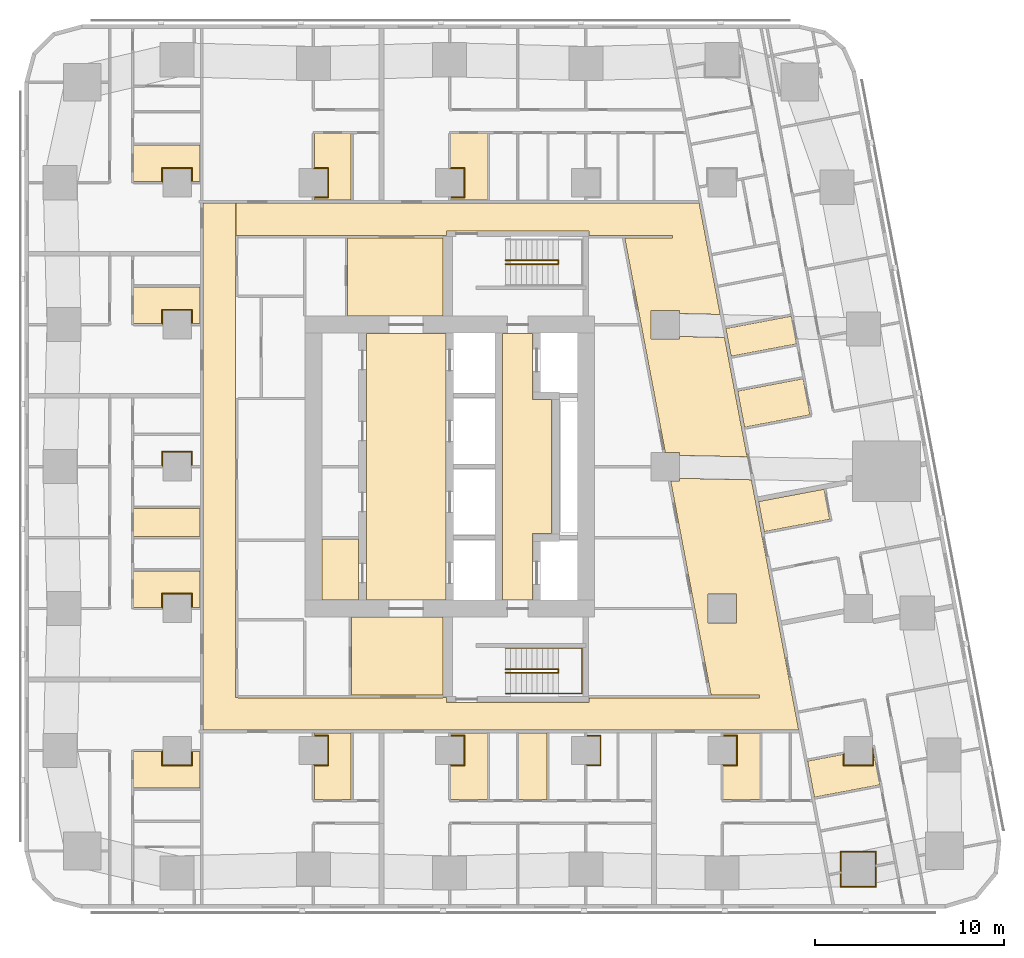
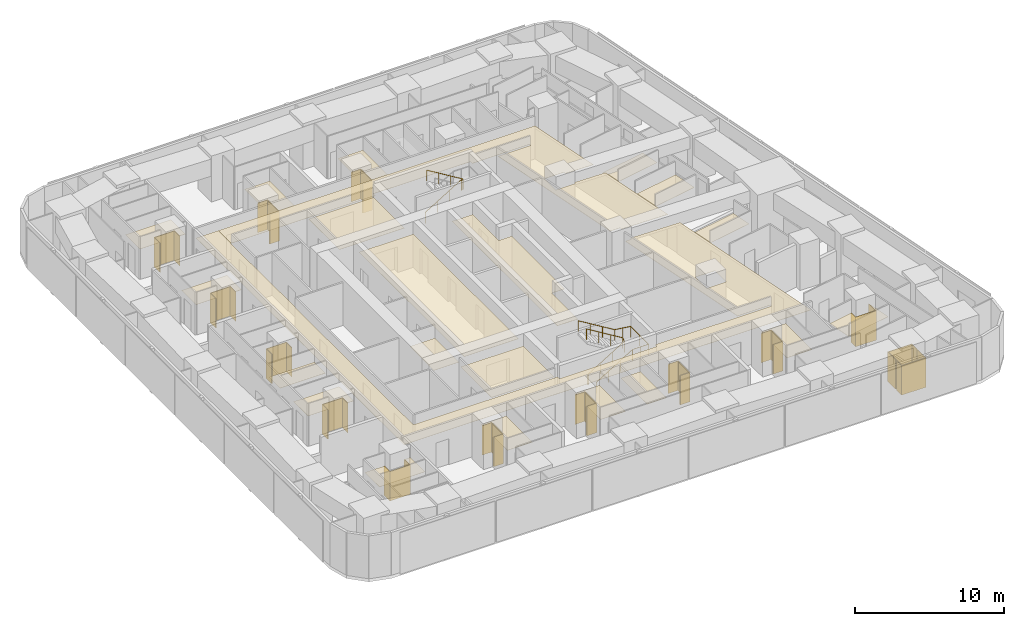
# One storey, part 14 of 15: 36 coverings, 3 railings.
"""IFC4 building model written with IfcOpenShell, lengths in metres."""

from ifc_helpers import new_model, si_unit, direction, frame, origin, origin_2d, place, context, subcontext, project, spatial, polyline, circle, outline, extrude, material, layer, layer_set, type_object, element, save


model = new_model("IFC4")

# Units and contexts
model_context = context("Model", 3, precision=1e-05, world=origin(), true_north=direction((0.0, 1.0)))
body_context = subcontext(model_context, "Body", "Model", "MODEL_VIEW")
ifc_project = project(units=[si_unit("LENGTHUNIT", "METRE"), si_unit("AREAUNIT", "SQUARE_METRE"), si_unit("VOLUMEUNIT", "CUBIC_METRE"), si_unit("PLANEANGLEUNIT", "RADIAN"), si_unit("MASSUNIT", "GRAM", prefix="KILO")], contexts=[model_context])

# Site, building, storey
site_placement = place(None, origin())
site = spatial("IfcSite", under=ifc_project, at=site_placement, CompositionType="ELEMENT")
building_placement = place(site_placement, origin())
building = spatial("IfcBuilding", under=site, at=building_placement, Name="Sheger Commons Tower", CompositionType="ELEMENT")
storey_placement = place(building_placement, frame((0.0, 0.0, 143.300048828125)))
storey = spatial("IfcBuildingStorey", under=building, at=storey_placement, Name="L36", CompositionType="ELEMENT", Elevation=143.300048828125)

# Railings
ifc_material_1 = material(Name="Steel handrail, black powder-coated", Category="steel")
railing_type = type_object("IfcRailingType", Name="HANDRAIL 900", PredefinedType="HANDRAIL", material=ifc_material_1)
railing_1_placement = place(storey_placement, frame((24.550048828125, 11.60009765625, 0.17041015625)))
element("IfcRailing", 1, at=railing_1_placement, inside=storey, type_object=railing_type, Name="Stair S1 handrail L36", PredefinedType="HANDRAIL", context=body_context, shape_type="SweptSolid", body=[
    extrude(circle(Radius=0.02392578125, at=origin_2d()), frame((0.0, 0.0, 0.8759765625), z_axis=(0.854169791009, 0.0, 0.51999420009), x_axis=(0.0, 1.0, 0.0)), (0.0, 0.0, 1.0), 3.278076171875),
    extrude(circle(Radius=0.02392578125, at=origin_2d()), frame((2.800048828125, 0.0, 2.58056640625), z_axis=(0.0, 0.761090297175, 0.648645943136), x_axis=(-1.0, 0.0, 0.0)), (0.0, 0.0, 1.0), 0.2626953125),
    extrude(circle(Radius=0.02392578125, at=origin_2d()), frame((2.800048828125, 0.199951171875, 2.7509765625), z_axis=(-0.854169791009, 0.0, 0.51999420009), x_axis=(0.0, -1.0, 0.0)), (0.0, 0.0, 1.0), 3.278076171875),
    extrude(circle(Radius=0.02099609375, at=origin_2d()), origin(), (0.0, 0.0, 1.0), 0.851806640625),
    extrude(circle(Radius=0.02099609375, at=origin_2d()), frame((0.933349609375, 0.0, 0.568115234375)), (0.0, 0.0, 1.0), 0.851806640625),
    extrude(circle(Radius=0.02099609375, at=origin_2d()), frame((1.86669921875, 0.0, 1.136474609375)), (0.0, 0.0, 1.0), 0.851806640625),
    extrude(circle(Radius=0.02099609375, at=origin_2d()), frame((2.800048828125, 0.0, 1.70458984375)), (0.0, 0.0, 1.0), 0.851806640625),
    extrude(circle(Radius=0.02099609375, at=origin_2d()), frame((2.800048828125, 0.199951171875, 1.875)), (0.0, 0.0, 1.0), 0.851806640625),
    extrude(circle(Radius=0.02099609375, at=origin_2d()), frame((1.86669921875, 0.199951171875, 2.443115234375)), (0.0, 0.0, 1.0), 0.851806640625),
    extrude(circle(Radius=0.02099609375, at=origin_2d()), frame((0.933349609375, 0.199951171875, 3.011474609375)), (0.0, 0.0, 1.0), 0.851806640625),
    extrude(circle(Radius=0.02099609375, at=origin_2d()), frame((0.0, 0.199951171875, 3.57958984375)), (0.0, 0.0, 1.0), 0.851806640625),
])
railing_2_placement = place(storey_placement, frame((24.550048828125, 10.5, 0.17041015625)))
element("IfcRailing", 2, at=railing_2_placement, inside=storey, type_object=railing_type, Name="Stair S1 handrail L36", PredefinedType="HANDRAIL", context=body_context, shape_type="SweptSolid", body=[
    extrude(circle(Radius=0.02392578125, at=origin_2d()), frame((0.0, 0.0, 0.8759765625), z_axis=(0.854169791009, 0.0, 0.51999420009), x_axis=(0.0, 1.0, 0.0)), (0.0, 0.0, 1.0), 3.278076171875),
    extrude(circle(Radius=0.02392578125, at=origin_2d()), frame((2.800048828125, 0.0, 2.58056640625), z_axis=(1.0, 0.0, 0.0), x_axis=(0.0, 1.0, 0.0)), (0.0, 0.0, 1.0), 1.25),
    extrude(circle(Radius=0.02392578125, at=origin_2d()), frame((4.050048828125, 0.0, 2.58056640625), z_axis=(0.0, 1.0, 0.0), x_axis=(-1.0, 0.0, 0.0)), (0.0, 0.0, 1.0), 2.39990234375),
    extrude(circle(Radius=0.02392578125, at=origin_2d()), frame((4.050048828125, 2.39990234375, 2.58056640625), z_axis=(-0.990834877927, 0.0, 0.135078661092), x_axis=(0.0, -1.0, 0.0)), (0.0, 0.0, 1.0), 1.261474609375),
    extrude(circle(Radius=0.02392578125, at=origin_2d()), frame((2.800048828125, 2.39990234375, 2.7509765625), z_axis=(-0.854169791009, 0.0, 0.51999420009), x_axis=(0.0, -1.0, 0.0)), (0.0, 0.0, 1.0), 3.278076171875),
    extrude(circle(Radius=0.02099609375, at=origin_2d()), origin(), (0.0, 0.0, 1.0), 0.851806640625),
    extrude(circle(Radius=0.02099609375, at=origin_2d()), frame((0.933349609375, 0.0, 0.568115234375)), (0.0, 0.0, 1.0), 0.851806640625),
    extrude(circle(Radius=0.02099609375, at=origin_2d()), frame((1.86669921875, 0.0, 1.136474609375)), (0.0, 0.0, 1.0), 0.851806640625),
    extrude(circle(Radius=0.02099609375, at=origin_2d()), frame((2.800048828125, 0.0, 1.70458984375)), (0.0, 0.0, 1.0), 0.851806640625),
    extrude(circle(Radius=0.02099609375, at=origin_2d()), frame((3.425048828125, 0.0, 1.70458984375)), (0.0, 0.0, 1.0), 0.851806640625),
    extrude(circle(Radius=0.02099609375, at=origin_2d()), frame((4.050048828125, 0.0, 1.70458984375)), (0.0, 0.0, 1.0), 0.851806640625),
    extrude(circle(Radius=0.02099609375, at=origin_2d()), frame((4.050048828125, 1.199951171875, 1.70458984375)), (0.0, 0.0, 1.0), 0.851806640625),
    extrude(circle(Radius=0.02099609375, at=origin_2d()), frame((4.050048828125, 2.39990234375, 1.70458984375)), (0.0, 0.0, 1.0), 0.851806640625),
    extrude(circle(Radius=0.02099609375, at=origin_2d()), frame((3.425048828125, 2.39990234375, 1.789794921875)), (0.0, 0.0, 1.0), 0.851806640625),
    extrude(circle(Radius=0.02099609375, at=origin_2d()), frame((2.800048828125, 2.39990234375, 1.875)), (0.0, 0.0, 1.0), 0.851806640625),
    extrude(circle(Radius=0.02099609375, at=origin_2d()), frame((1.86669921875, 2.39990234375, 2.443115234375)), (0.0, 0.0, 1.0), 0.851806640625),
    extrude(circle(Radius=0.02099609375, at=origin_2d()), frame((0.933349609375, 2.39990234375, 3.011474609375)), (0.0, 0.0, 1.0), 0.851806640625),
    extrude(circle(Radius=0.02099609375, at=origin_2d()), frame((0.0, 2.39990234375, 3.57958984375)), (0.0, 0.0, 1.0), 0.851806640625),
])
railing_3_placement = place(storey_placement, frame((24.550048828125, 33.39990234375, 0.17041015625)))
element("IfcRailing", 3, at=railing_3_placement, inside=storey, type_object=railing_type, Name="Stair S2 handrail L36", PredefinedType="HANDRAIL", context=body_context, shape_type="SweptSolid", body=[
    extrude(circle(Radius=0.02392578125, at=origin_2d()), frame((0.0, 0.0, 0.8759765625), z_axis=(0.854169791009, 0.0, 0.51999420009), x_axis=(0.0, 1.0, 0.0)), (0.0, 0.0, 1.0), 3.278076171875),
    extrude(circle(Radius=0.02392578125, at=origin_2d()), frame((2.800048828125, 0.0, 2.58056640625), z_axis=(0.0, -0.761090297175, 0.648645943136), x_axis=(1.0, 0.0, 0.0)), (0.0, 0.0, 1.0), 0.2626953125),
    extrude(circle(Radius=0.02392578125, at=origin_2d()), frame((2.800048828125, -0.199951171875, 2.7509765625), z_axis=(-0.854169791009, 0.0, 0.51999420009), x_axis=(0.0, -1.0, 0.0)), (0.0, 0.0, 1.0), 3.278076171875),
    extrude(circle(Radius=0.02099609375, at=origin_2d()), origin(), (0.0, 0.0, 1.0), 0.851806640625),
    extrude(circle(Radius=0.02099609375, at=origin_2d()), frame((0.933349609375, 0.0, 0.568115234375)), (0.0, 0.0, 1.0), 0.851806640625),
    extrude(circle(Radius=0.02099609375, at=origin_2d()), frame((1.86669921875, 0.0, 1.136474609375)), (0.0, 0.0, 1.0), 0.851806640625),
    extrude(circle(Radius=0.02099609375, at=origin_2d()), frame((2.800048828125, 0.0, 1.70458984375)), (0.0, 0.0, 1.0), 0.851806640625),
    extrude(circle(Radius=0.02099609375, at=origin_2d()), frame((2.800048828125, -0.199951171875, 1.875)), (0.0, 0.0, 1.0), 0.851806640625),
    extrude(circle(Radius=0.02099609375, at=origin_2d()), frame((1.86669921875, -0.199951171875, 2.443115234375)), (0.0, 0.0, 1.0), 0.851806640625),
    extrude(circle(Radius=0.02099609375, at=origin_2d()), frame((0.933349609375, -0.199951171875, 3.011474609375)), (0.0, 0.0, 1.0), 0.851806640625),
    extrude(circle(Radius=0.02099609375, at=origin_2d()), frame((0.0, -0.199951171875, 3.57958984375)), (0.0, 0.0, 1.0), 0.851806640625),
])

# Coverings
ifc_material_2 = material(Name="Moisture-resistant gypsum plasterboard 15 mm on a suspended galvanised steel grid", Category="steel")
ifc_layer_1 = layer(ifc_material_2, 0.014892578125)
ifc_layer_set_1 = layer_set([ifc_layer_1], Name="MOISTURE-RESISTANT CEILING 15")
covering_type_1 = type_object("IfcCoveringType", Name="MOISTURE-RESISTANT CEILING 15", PredefinedType="CEILING", material=ifc_layer_set_1)
covering_1_placement = place(storey_placement, frame((0.0, 0.0, 2.39990234375)))
element("IfcCovering", 4, at=covering_1_placement, inside=storey, type_object=covering_type_1, Name="L36-01.B1 ceiling", PredefinedType="CEILING", context=body_context, shape_type="SweptSolid", body=[
    extrude(outline(polyline([(4.905029296875, 5.5048828125), (8.419921875, 5.5048828125), (8.419921875, 7.445068359375), (7.955078125, 7.445068359375), (7.955078125, 6.7451171875), (6.445068359375, 6.7451171875), (6.445068359375, 7.445068359375), (4.905029296875, 7.445068359375), (4.905029296875, 5.5048828125)])), origin(), (0.0, 0.0, 1.0), 0.01513671875),
])
covering_2_placement = place(storey_placement, frame((0.0, 0.0, 2.39990234375)))
element("IfcCovering", 5, at=covering_2_placement, inside=storey, type_object=covering_type_1, Name="L36-02.B1 ceiling", PredefinedType="CEILING", context=body_context, shape_type="SweptSolid", body=[
    extrude(outline(polyline([(4.905029296875, 15.054931640625), (6.445068359375, 15.054931640625), (6.445068359375, 15.7548828125), (7.955078125, 15.7548828125), (7.955078125, 15.054931640625), (8.419921875, 15.054931640625), (8.419921875, 16.9951171875), (4.905029296875, 16.9951171875), (4.905029296875, 15.054931640625)])), origin(), (0.0, 0.0, 1.0), 0.01513671875),
])
covering_3_placement = place(storey_placement, frame((0.0, 0.0, 2.39990234375)))
element("IfcCovering", 6, at=covering_3_placement, inside=storey, type_object=covering_type_1, Name="L36-02.B2 ceiling", PredefinedType="CEILING", context=body_context, shape_type="SweptSolid", body=[
    extrude(outline(polyline([(4.905029296875, 18.804931640625), (8.419921875, 18.804931640625), (8.419921875, 20.294921875), (4.905029296875, 20.294921875), (4.905029296875, 18.804931640625)])), origin(), (0.0, 0.0, 1.0), 0.01513671875),
])
covering_4_placement = place(storey_placement, frame((0.0, 0.0, 2.39990234375)))
element("IfcCovering", 7, at=covering_4_placement, inside=storey, type_object=covering_type_1, Name="L36-03.B1 ceiling", PredefinedType="CEILING", context=body_context, shape_type="SweptSolid", body=[
    extrude(outline(polyline([(4.905029296875, 30.054931640625), (6.445068359375, 30.054931640625), (6.445068359375, 30.7548828125), (7.955078125, 30.7548828125), (7.955078125, 30.054931640625), (8.419921875, 30.054931640625), (8.419921875, 31.9951171875), (4.905029296875, 31.9951171875), (4.905029296875, 30.054931640625)])), origin(), (0.0, 0.0, 1.0), 0.01513671875),
])
covering_5_placement = place(storey_placement, frame((0.0, 0.0, 2.39990234375)))
element("IfcCovering", 8, at=covering_5_placement, inside=storey, type_object=covering_type_1, Name="L36-04.B1 ceiling", PredefinedType="CEILING", context=body_context, shape_type="SweptSolid", body=[
    extrude(outline(polyline([(4.905029296875, 37.554931640625), (6.445068359375, 37.554931640625), (6.445068359375, 38.2548828125), (7.955078125, 38.2548828125), (7.955078125, 37.554931640625), (8.419921875, 37.554931640625), (8.419921875, 39.4951171875), (4.905029296875, 39.4951171875), (4.905029296875, 37.554931640625)])), origin(), (0.0, 0.0, 1.0), 0.01513671875),
])
covering_6_placement = place(storey_placement, frame((0.0, 0.0, 2.39990234375)))
element("IfcCovering", 9, at=covering_6_placement, inside=storey, type_object=covering_type_1, Name="L36-05.B1 ceiling", PredefinedType="CEILING", context=body_context, shape_type="SweptSolid", body=[
    extrude(outline(polyline([(14.455078125, 4.905029296875), (16.39501953125, 4.905029296875), (16.39501953125, 8.419921875), (14.455078125, 8.419921875), (14.455078125, 8.2548828125), (15.155029296875, 8.2548828125), (15.155029296875, 6.7451171875), (14.455078125, 6.7451171875), (14.455078125, 4.905029296875)])), origin(), (0.0, 0.0, 1.0), 0.01513671875),
])
covering_7_placement = place(storey_placement, frame((0.0, 0.0, 2.39990234375)))
element("IfcCovering", 10, at=covering_7_placement, inside=storey, type_object=covering_type_1, Name="L36-06.B1 ceiling", PredefinedType="CEILING", context=body_context, shape_type="SweptSolid", body=[
    extrude(outline(polyline([(21.655029296875, 4.905029296875), (23.594970703125, 4.905029296875), (23.594970703125, 8.419921875), (21.655029296875, 8.419921875), (21.655029296875, 8.2548828125), (22.35498046875, 8.2548828125), (22.35498046875, 6.7451171875), (21.655029296875, 6.7451171875), (21.655029296875, 4.905029296875)])), origin(), (0.0, 0.0, 1.0), 0.01513671875),
])
covering_8_placement = place(storey_placement, frame((0.0, 0.0, 2.39990234375)))
element("IfcCovering", 11, at=covering_8_placement, inside=storey, type_object=covering_type_1, Name="L36-06.B2 ceiling", PredefinedType="CEILING", context=body_context, shape_type="SweptSolid", body=[
    extrude(outline(polyline([(25.2548828125, 4.905029296875), (26.7451171875, 4.905029296875), (26.7451171875, 8.419921875), (25.2548828125, 8.419921875), (25.2548828125, 4.905029296875)])), origin(), (0.0, 0.0, 1.0), 0.01513671875),
])
covering_9_placement = place(storey_placement, frame((0.0, 0.0, 2.39990234375)))
element("IfcCovering", 12, at=covering_9_placement, inside=storey, type_object=covering_type_1, Name="L36-07.B1 ceiling", PredefinedType="CEILING", context=body_context, shape_type="SweptSolid", body=[
    extrude(outline(polyline([(36.054931640625, 4.905029296875), (37.9951171875, 4.905029296875), (37.9951171875, 8.419921875), (36.054931640625, 8.419921875), (36.054931640625, 8.2548828125), (36.7548828125, 8.2548828125), (36.7548828125, 6.7451171875), (36.054931640625, 6.7451171875), (36.054931640625, 4.905029296875)])), origin(), (0.0, 0.0, 1.0), 0.01513671875),
])
covering_10_placement = place(storey_placement, frame((0.0, 0.0, 2.39990234375)))
element("IfcCovering", 13, at=covering_10_placement, inside=storey, type_object=covering_type_1, Name="L36-08.B1 ceiling", PredefinedType="CEILING", context=body_context, shape_type="SweptSolid", body=[
    extrude(outline(polyline([(37.18701171875, 24.5830078125), (40.64111328125, 25.236083984375), (40.281005859375, 27.14208984375), (36.826904296875, 26.489990234375), (37.18701171875, 24.5830078125)])), origin(), (0.0, 0.0, 1.0), 0.01513671875),
])
covering_11_placement = place(storey_placement, frame((0.0, 0.0, 2.39990234375)))
element("IfcCovering", 14, at=covering_11_placement, inside=storey, type_object=covering_type_1, Name="L36-08.B2 ceiling", PredefinedType="CEILING", context=body_context, shape_type="SweptSolid", body=[
    extrude(outline(polyline([(36.47900390625, 28.3330078125), (39.93310546875, 28.985107421875), (39.656982421875, 30.448974609375), (36.201904296875, 29.797119140625), (36.47900390625, 28.3330078125)])), origin(), (0.0, 0.0, 1.0), 0.01513671875),
])
covering_12_placement = place(storey_placement, frame((0.0, 0.0, 2.39990234375)))
element("IfcCovering", 15, at=covering_12_placement, inside=storey, type_object=covering_type_1, Name="L36-09.B1 ceiling", PredefinedType="CEILING", context=body_context, shape_type="SweptSolid", body=[
    extrude(outline(polyline([(38.22900390625, 19.06494140625), (41.68408203125, 19.716064453125), (41.384033203125, 21.303955078125), (37.929931640625, 20.652099609375), (38.22900390625, 19.06494140625)])), origin(), (0.0, 0.0, 1.0), 0.01513671875),
])
covering_13_placement = place(storey_placement, frame((0.0, 0.0, 2.39990234375)))
element("IfcCovering", 16, at=covering_13_placement, inside=storey, type_object=covering_type_1, Name="L36-10.B1 ceiling", PredefinedType="CEILING", context=body_context, shape_type="SweptSolid", body=[
    extrude(outline(polyline([(40.8798828125, 5.031982421875), (44.333984375, 5.68408203125), (43.964111328125, 7.64501953125), (43.955078125, 7.64306640625), (43.955078125, 6.7451171875), (42.445068359375, 6.7451171875), (42.445068359375, 7.302001953125), (40.52001953125, 6.93798828125), (40.8798828125, 5.031982421875)])), origin(), (0.0, 0.0, 1.0), 0.01513671875),
])
covering_14_placement = place(storey_placement, frame((0.0, 0.0, 2.39990234375)))
element("IfcCovering", 17, at=covering_14_placement, inside=storey, type_object=covering_type_1, Name="L36-11.B1 ceiling", PredefinedType="CEILING", context=body_context, shape_type="SweptSolid", body=[
    extrude(outline(polyline([(14.455078125, 36.580078125), (16.39501953125, 36.580078125), (16.39501953125, 40.094970703125), (14.455078125, 40.094970703125), (14.455078125, 38.2548828125), (15.155029296875, 38.2548828125), (15.155029296875, 36.7451171875), (14.455078125, 36.7451171875), (14.455078125, 36.580078125)])), origin(), (0.0, 0.0, 1.0), 0.01513671875),
])
covering_15_placement = place(storey_placement, frame((0.0, 0.0, 2.39990234375)))
element("IfcCovering", 18, at=covering_15_placement, inside=storey, type_object=covering_type_1, Name="L36-12.B1 ceiling", PredefinedType="CEILING", context=body_context, shape_type="SweptSolid", body=[
    extrude(outline(polyline([(21.655029296875, 36.580078125), (23.594970703125, 36.580078125), (23.594970703125, 40.094970703125), (21.655029296875, 40.094970703125), (21.655029296875, 38.2548828125), (22.35498046875, 38.2548828125), (22.35498046875, 36.7451171875), (21.655029296875, 36.7451171875), (21.655029296875, 36.580078125)])), origin(), (0.0, 0.0, 1.0), 0.01513671875),
])
covering_16_placement = place(storey_placement, frame((0.0, 0.0, 2.39990234375)))
element("IfcCovering", 19, at=covering_16_placement, inside=storey, type_object=covering_type_1, Name="L36-CRB1 ceiling", PredefinedType="CEILING", context=body_context, shape_type="SweptSolid", body=[
    extrude(outline(polyline([(14.85498046875, 15.455078125), (16.794921875, 15.455078125), (16.794921875, 18.68310546875), (14.85498046875, 18.68310546875), (14.85498046875, 15.455078125)])), origin(), (0.0, 0.0, 1.0), 0.01513671875),
])
ifc_material_3 = material(Name="Gypsum plasterboard 15 mm on a suspended steel grid", Category="steel")
ifc_layer_2 = layer(ifc_material_3, 0.014892578125)
ifc_layer_set_2 = layer_set([ifc_layer_2], Name="SUSPENDED CEILING 15")
covering_type_2 = type_object("IfcCoveringType", Name="SUSPENDED CEILING 15", PredefinedType="CEILING", material=ifc_layer_set_2)
covering_17_placement = place(storey_placement, frame((0.0, 0.0, 2.699951171875)))
element("IfcCovering", 20, at=covering_17_placement, inside=storey, type_object=covering_type_2, Name="L36-CO ceiling", PredefinedType="CEILING", context=body_context, shape_type="SweptSolid", body=[
    extrude(outline(polyline([(8.580078125, 8.580078125), (40.047119140625, 8.580078125), (37.549072265625, 21.802978515625), (33.7548828125, 21.8798828125), (33.7548828125, 21.7451171875), (33.283935546875, 21.7451171875), (35.4208984375, 10.431884765625), (35.384033203125, 10.425048828125), (35.385986328125, 10.41796875), (37.968017578125, 10.41796875), (37.968017578125, 10.281982421875), (28.955078125, 10.281982421875), (28.955078125, 10.044921875), (21.445068359375, 10.044921875), (21.445068359375, 10.300048828125), (21.2548828125, 10.300048828125), (21.2548828125, 10.281982421875), (10.407958984375, 10.281982421875), (10.407958984375, 10.294921875), (10.281982421875, 10.294921875), (10.281982421875, 26.10498046875), (10.300048828125, 26.10498046875), (10.300048828125, 31.4951171875), (10.281982421875, 31.4951171875), (10.281982421875, 34.705078125), (10.298095703125, 34.705078125), (10.298095703125, 36.419921875), (8.580078125, 36.419921875), (8.580078125, 8.580078125)]), holes=[polyline([(35.2451171875, 15.7548828125), (36.7548828125, 15.7548828125), (36.7548828125, 14.2451171875), (35.2451171875, 14.2451171875), (35.2451171875, 15.7548828125)])]), origin(), (0.0, 0.0, 1.0), 0.014892578125),
])
covering_18_placement = place(storey_placement, frame((0.0, 0.0, 2.699951171875)))
element("IfcCovering", 21, at=covering_18_placement, inside=storey, type_object=covering_type_2, Name="L36-CO ceiling", PredefinedType="CEILING", context=body_context, shape_type="SweptSolid", body=[
    extrude(outline(polyline([(37.320068359375, 23.01806640625), (36.12890625, 29.323974609375), (33.7548828125, 29.3779296875), (33.7548828125, 29.2451171875), (32.2451171875, 29.2451171875), (32.2451171875, 30.7548828125), (33.7548828125, 30.7548828125), (33.7548828125, 30.587890625), (35.89892578125, 30.5400390625), (34.77294921875, 36.5), (34.77001953125, 36.5), (34.77001953125, 36.419921875), (33.365966796875, 36.419921875), (33.361083984375, 34.719970703125), (33.361083984375, 36.419921875), (10.302978515625, 36.419921875), (10.302978515625, 34.705078125), (10.407958984375, 34.705078125), (10.407958984375, 34.718017578125), (21.2548828125, 34.718017578125), (21.2548828125, 34.699951171875), (21.445068359375, 34.699951171875), (21.445068359375, 34.955078125), (28.955078125, 34.955078125), (28.955078125, 34.718017578125), (33.361083984375, 34.718017578125), (33.3779296875, 34.718017578125), (33.3779296875, 34.58203125), (30.85888671875, 34.58203125), (32.99609375, 23.27099609375), (32.958984375, 23.263916015625), (32.9609375, 23.2548828125), (33.7548828125, 23.2548828125), (33.7548828125, 23.090087890625), (37.320068359375, 23.01806640625)])), origin(), (0.0, 0.0, 1.0), 0.014892578125),
])
covering_19_placement = place(storey_placement, frame((0.0, 0.0, 2.699951171875)))
element("IfcCovering", 22, at=covering_19_placement, inside=storey, type_object=covering_type_2, Name="L36-SVS1 ceiling", PredefinedType="CEILING", context=body_context, shape_type="SweptSolid", body=[
    extrude(outline(polyline([(16.406982421875, 10.41796875), (21.2451171875, 10.41796875), (21.2451171875, 14.544921875), (16.406982421875, 14.544921875), (16.406982421875, 10.41796875)])), origin(), (0.0, 0.0, 1.0), 0.014892578125),
])
covering_20_placement = place(storey_placement, frame((0.0, 0.0, 2.699951171875)))
element("IfcCovering", 23, at=covering_20_placement, inside=storey, type_object=covering_type_2, Name="L36-SVN1 ceiling", PredefinedType="CEILING", context=body_context, shape_type="SweptSolid", body=[
    extrude(outline(polyline([(16.217041015625, 30.455078125), (21.2451171875, 30.455078125), (21.2451171875, 34.58203125), (16.217041015625, 34.58203125), (16.217041015625, 30.455078125)])), origin(), (0.0, 0.0, 1.0), 0.014892578125),
])
covering_21_placement = place(storey_placement, frame((0.0, 0.0, 2.699951171875)))
element("IfcCovering", 24, at=covering_21_placement, inside=storey, type_object=covering_type_2, Name="L36-LL ceiling", PredefinedType="CEILING", context=body_context, shape_type="SweptSolid", body=[
    extrude(outline(polyline([(17.205078125, 15.455078125), (21.39990234375, 15.455078125), (21.39990234375, 29.544921875), (17.205078125, 29.544921875), (17.205078125, 15.455078125)])), origin(), (0.0, 0.0, 1.0), 0.014892578125),
])
covering_22_placement = place(storey_placement, frame((0.0, 0.0, 2.699951171875)))
element("IfcCovering", 25, at=covering_22_placement, inside=storey, type_object=covering_type_2, Name="L36-FL ceiling", PredefinedType="CEILING", context=body_context, shape_type="SweptSolid", body=[
    extrude(outline(polyline([(24.405029296875, 15.455078125), (25.9951171875, 15.455078125), (25.9951171875, 18.955078125), (26.9951171875, 18.955078125), (26.9951171875, 26.044921875), (25.9951171875, 26.044921875), (25.9951171875, 29.544921875), (24.405029296875, 29.544921875), (24.405029296875, 15.455078125)])), origin(), (0.0, 0.0, 1.0), 0.014892578125),
])
ifc_material_4 = material(Name="Moisture-resistant gypsum board 12.5 mm on 25 mm treated timber battens, tanked and tiled", Category="wood")
ifc_layer_3 = layer(ifc_material_4, 0.050048828125)
ifc_layer_set_3 = layer_set([ifc_layer_3], Name="WET-ROOM COLUMN LINING")
covering_type_3 = type_object("IfcCoveringType", Name="WET-ROOM COLUMN LINING", PredefinedType="CLADDING", material=ifc_layer_set_3)
covering_23_placement = place(storey_placement, origin())
element("IfcCovering", 26, at=covering_23_placement, inside=storey, type_object=covering_type_3, Name="Laundry room column lining C8 L36", PredefinedType="CLADDING", context=body_context, shape_type="SweptSolid", body=[
    extrude(outline(polyline([(44.14990234375, 2.175048828125), (44.14990234375, 1.455078125), (44.10107421875, 1.446044921875), (44.110107421875, 1.39697265625), (44.10009765625, 1.39501953125), (44.10009765625, 2.125), (42.300048828125, 2.125), (42.300048828125, 1.055908203125), (42.2900390625, 1.053955078125), (42.281005859375, 1.10205078125), (42.25, 1.095947265625), (42.25, 2.175048828125), (44.14990234375, 2.175048828125)])), origin(), (0.0, 0.0, 1.0), 2.39990234375),
])
covering_24_placement = place(storey_placement, origin())
element("IfcCovering", 27, at=covering_24_placement, inside=storey, type_object=covering_type_3, Name="Laundry room column lining C8 L36", PredefinedType="CLADDING", context=body_context, shape_type="SweptSolid", body=[
    extrude(outline(polyline([(42.300048828125, 1.055908203125), (42.300048828125, 0.324951171875), (44.10009765625, 0.324951171875), (44.10009765625, 1.39501953125), (44.110107421875, 1.39697265625), (44.118896484375, 1.347900390625), (44.14990234375, 1.35400390625), (44.14990234375, 0.27490234375), (42.25, 0.27490234375), (42.25, 0.9951171875), (42.299072265625, 1.00390625), (42.2900390625, 1.053955078125), (42.300048828125, 1.055908203125)])), origin(), (0.0, 0.0, 1.0), 2.39990234375),
])
covering_25_placement = place(storey_placement, origin())
element("IfcCovering", 28, at=covering_25_placement, inside=storey, type_object=covering_type_3, Name="Bathroom column lining C10 L36", PredefinedType="CLADDING", context=body_context, shape_type="SweptSolid", body=[
    extrude(outline(polyline([(6.449951171875, 7.5), (6.449951171875, 6.75), (7.949951171875, 6.75), (7.949951171875, 7.5), (7.950927734375, 7.5), (7.950927734375, 7.449951171875), (8.0, 7.449951171875), (8.0, 6.699951171875), (6.39990234375, 6.699951171875), (6.39990234375, 7.449951171875), (6.448974609375, 7.449951171875), (6.448974609375, 7.5), (6.449951171875, 7.5)])), origin(), (0.0, 0.0, 1.0), 2.39990234375),
])
covering_26_placement = place(storey_placement, origin())
element("IfcCovering", 29, at=covering_26_placement, inside=storey, type_object=covering_type_3, Name="Bathroom column lining C10 L36", PredefinedType="CLADDING", context=body_context, shape_type="SweptSolid", body=[
    extrude(outline(polyline([(15.199951171875, 6.699951171875), (14.449951171875, 6.699951171875), (14.449951171875, 6.7490234375), (14.39990234375, 6.7490234375), (14.39990234375, 6.75), (15.14990234375, 6.75), (15.14990234375, 8.25), (14.39990234375, 8.25), (14.39990234375, 8.2509765625), (14.449951171875, 8.2509765625), (14.449951171875, 8.300048828125), (15.199951171875, 8.300048828125), (15.199951171875, 6.699951171875)])), origin(), (0.0, 0.0, 1.0), 2.39990234375),
])
covering_27_placement = place(storey_placement, origin())
element("IfcCovering", 30, at=covering_27_placement, inside=storey, type_object=covering_type_3, Name="Bathroom column lining C10 L36", PredefinedType="CLADDING", context=body_context, shape_type="SweptSolid", body=[
    extrude(outline(polyline([(22.39990234375, 6.699951171875), (21.64990234375, 6.699951171875), (21.64990234375, 6.7490234375), (21.60009765625, 6.7490234375), (21.60009765625, 6.75), (22.35009765625, 6.75), (22.35009765625, 8.25), (21.60009765625, 8.25), (21.60009765625, 8.2509765625), (21.64990234375, 8.2509765625), (21.64990234375, 8.300048828125), (22.39990234375, 8.300048828125), (22.39990234375, 6.699951171875)])), origin(), (0.0, 0.0, 1.0), 2.39990234375),
])
covering_28_placement = place(storey_placement, origin())
element("IfcCovering", 31, at=covering_28_placement, inside=storey, type_object=covering_type_3, Name="Laundry room column lining C10 L36", PredefinedType="CLADDING", context=body_context, shape_type="SweptSolid", body=[
    extrude(outline(polyline([(29.60009765625, 6.699951171875), (28.85009765625, 6.699951171875), (28.85009765625, 6.7490234375), (28.800048828125, 6.7490234375), (28.800048828125, 6.75), (29.550048828125, 6.75), (29.550048828125, 8.25), (28.800048828125, 8.25), (28.800048828125, 8.2509765625), (28.85009765625, 8.2509765625), (28.85009765625, 8.300048828125), (29.60009765625, 8.300048828125), (29.60009765625, 6.699951171875)])), origin(), (0.0, 0.0, 1.0), 2.39990234375),
])
covering_29_placement = place(storey_placement, origin())
element("IfcCovering", 32, at=covering_29_placement, inside=storey, type_object=covering_type_3, Name="Bathroom column lining C10 L36", PredefinedType="CLADDING", context=body_context, shape_type="SweptSolid", body=[
    extrude(outline(polyline([(36.800048828125, 6.699951171875), (36.050048828125, 6.699951171875), (36.050048828125, 6.7490234375), (36.0, 6.7490234375), (36.0, 6.75), (36.75, 6.75), (36.75, 8.25), (36.0, 8.25), (36.0, 8.2509765625), (36.050048828125, 8.2509765625), (36.050048828125, 8.300048828125), (36.800048828125, 8.300048828125), (36.800048828125, 6.699951171875)])), origin(), (0.0, 0.0, 1.0), 2.39990234375),
])
covering_30_placement = place(storey_placement, origin())
element("IfcCovering", 33, at=covering_30_placement, inside=storey, type_object=covering_type_3, Name="Bathroom column lining C10 L36", PredefinedType="CLADDING", context=body_context, shape_type="SweptSolid", body=[
    extrude(outline(polyline([(42.449951171875, 7.35888671875), (42.449951171875, 6.75), (43.949951171875, 6.75), (43.949951171875, 7.64208984375), (43.968994140625, 7.64599609375), (44.0, 7.47998046875), (44.0, 6.699951171875), (42.39990234375, 6.699951171875), (42.39990234375, 7.299072265625), (42.448974609375, 7.30810546875), (42.43994140625, 7.35693359375), (42.449951171875, 7.35888671875)])), origin(), (0.0, 0.0, 1.0), 2.39990234375),
])
covering_31_placement = place(storey_placement, origin())
element("IfcCovering", 34, at=covering_31_placement, inside=storey, type_object=covering_type_3, Name="Bathroom column lining C10 L36", PredefinedType="CLADDING", context=body_context, shape_type="SweptSolid", body=[
    extrude(outline(polyline([(8.0, 15.800048828125), (8.0, 15.050048828125), (7.950927734375, 15.050048828125), (7.950927734375, 15.0), (7.949951171875, 15.0), (7.949951171875, 15.75), (6.449951171875, 15.75), (6.449951171875, 15.0), (6.448974609375, 15.0), (6.448974609375, 15.050048828125), (6.39990234375, 15.050048828125), (6.39990234375, 15.800048828125), (8.0, 15.800048828125)])), origin(), (0.0, 0.0, 1.0), 2.39990234375),
])
covering_32_placement = place(storey_placement, origin())
element("IfcCovering", 35, at=covering_32_placement, inside=storey, type_object=covering_type_3, Name="Laundry room column lining C10 L36", PredefinedType="CLADDING", context=body_context, shape_type="SweptSolid", body=[
    extrude(outline(polyline([(8.0, 23.300048828125), (8.0, 22.550048828125), (7.950927734375, 22.550048828125), (7.950927734375, 22.5), (7.949951171875, 22.5), (7.949951171875, 23.25), (6.449951171875, 23.25), (6.449951171875, 22.5), (6.448974609375, 22.5), (6.448974609375, 22.550048828125), (6.39990234375, 22.550048828125), (6.39990234375, 23.300048828125), (8.0, 23.300048828125)])), origin(), (0.0, 0.0, 1.0), 2.39990234375),
])
covering_33_placement = place(storey_placement, origin())
element("IfcCovering", 36, at=covering_33_placement, inside=storey, type_object=covering_type_3, Name="Bathroom column lining C10 L36", PredefinedType="CLADDING", context=body_context, shape_type="SweptSolid", body=[
    extrude(outline(polyline([(8.0, 30.800048828125), (8.0, 30.050048828125), (7.950927734375, 30.050048828125), (7.950927734375, 30.0), (7.949951171875, 30.0), (7.949951171875, 30.75), (6.449951171875, 30.75), (6.449951171875, 30.0), (6.448974609375, 30.0), (6.448974609375, 30.050048828125), (6.39990234375, 30.050048828125), (6.39990234375, 30.800048828125), (8.0, 30.800048828125)])), origin(), (0.0, 0.0, 1.0), 2.39990234375),
])
covering_34_placement = place(storey_placement, origin())
element("IfcCovering", 37, at=covering_34_placement, inside=storey, type_object=covering_type_3, Name="Bathroom column lining C10 L36", PredefinedType="CLADDING", context=body_context, shape_type="SweptSolid", body=[
    extrude(outline(polyline([(8.0, 38.300048828125), (8.0, 37.550048828125), (7.950927734375, 37.550048828125), (7.950927734375, 37.5), (7.949951171875, 37.5), (7.949951171875, 38.25), (6.449951171875, 38.25), (6.449951171875, 37.5), (6.448974609375, 37.5), (6.448974609375, 37.550048828125), (6.39990234375, 37.550048828125), (6.39990234375, 38.300048828125), (8.0, 38.300048828125)])), origin(), (0.0, 0.0, 1.0), 2.39990234375),
])
covering_35_placement = place(storey_placement, origin())
element("IfcCovering", 38, at=covering_35_placement, inside=storey, type_object=covering_type_3, Name="Bathroom column lining C10 L36", PredefinedType="CLADDING", context=body_context, shape_type="SweptSolid", body=[
    extrude(outline(polyline([(15.199951171875, 36.699951171875), (14.449951171875, 36.699951171875), (14.449951171875, 36.7490234375), (14.39990234375, 36.7490234375), (14.39990234375, 36.75), (15.14990234375, 36.75), (15.14990234375, 38.25), (14.39990234375, 38.25), (14.39990234375, 38.2509765625), (14.449951171875, 38.2509765625), (14.449951171875, 38.300048828125), (15.199951171875, 38.300048828125), (15.199951171875, 36.699951171875)])), origin(), (0.0, 0.0, 1.0), 2.39990234375),
])
covering_36_placement = place(storey_placement, origin())
element("IfcCovering", 39, at=covering_36_placement, inside=storey, type_object=covering_type_3, Name="Bathroom column lining C10 L36", PredefinedType="CLADDING", context=body_context, shape_type="SweptSolid", body=[
    extrude(outline(polyline([(22.39990234375, 36.699951171875), (21.64990234375, 36.699951171875), (21.64990234375, 36.7490234375), (21.60009765625, 36.7490234375), (21.60009765625, 36.75), (22.35009765625, 36.75), (22.35009765625, 38.25), (21.60009765625, 38.25), (21.60009765625, 38.2509765625), (21.64990234375, 38.2509765625), (21.64990234375, 38.300048828125), (22.39990234375, 38.300048828125), (22.39990234375, 36.699951171875)])), origin(), (0.0, 0.0, 1.0), 2.39990234375),
])

save(model, "model.ifc")
